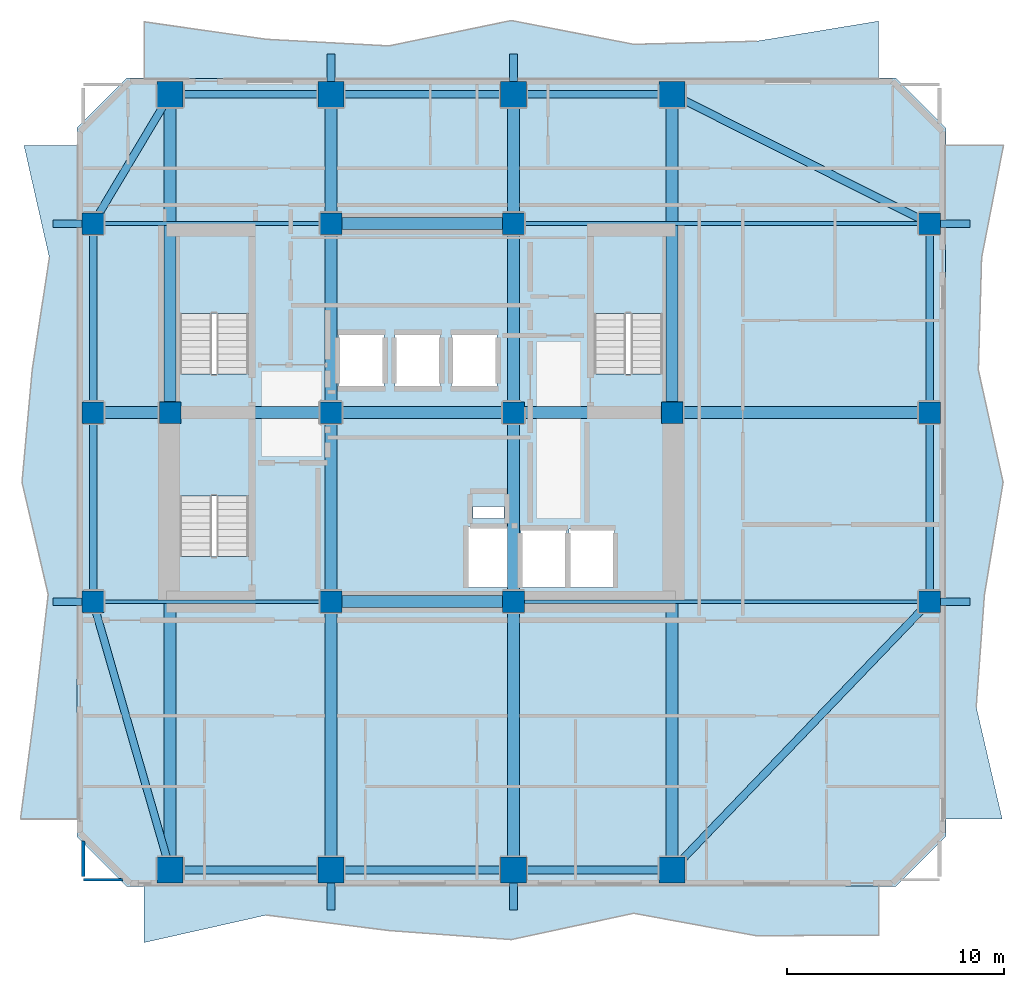
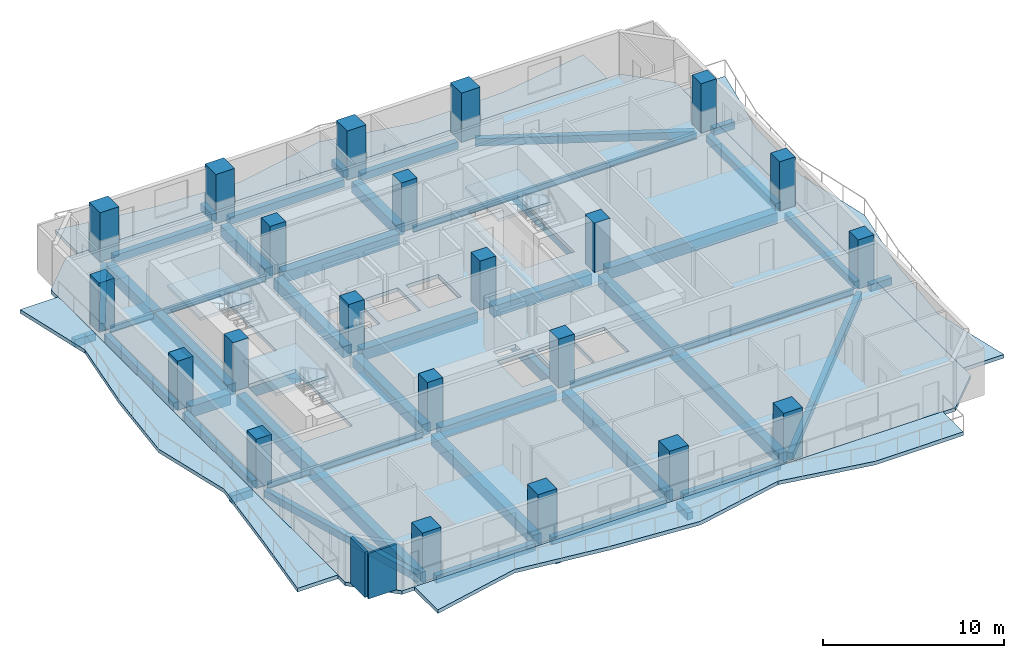
# One storey, part 1 of 9: 45 beams, 22 columns, 8 slabs, 2 walls, 3 elements without a shape of their own.
"""IFC4 building model written with IfcOpenShell, lengths in metres."""

from ifc_helpers import new_model, si_unit, direction, frame, frame_2d, origin, origin_2d, place, context, subcontext, project, spatial, polyline, rectangle, i_section, outline, extrude, material, layer, layer_set, material_profile, profile_set, type_object, element, aggregate, save


model = new_model("IFC4")

# Units and contexts
model_context = context("Model", 3, precision=1e-05, world=origin(), true_north=direction((0.0, 1.0)))
body_context = subcontext(model_context, "Body", "Model", "MODEL_VIEW")
ifc_project = project(units=[si_unit("LENGTHUNIT", "METRE"), si_unit("AREAUNIT", "SQUARE_METRE"), si_unit("VOLUMEUNIT", "CUBIC_METRE"), si_unit("PLANEANGLEUNIT", "RADIAN"), si_unit("MASSUNIT", "GRAM", prefix="KILO")], contexts=[model_context])

# Site, building, storey
site_placement = place(None, origin())
site = spatial("IfcSite", under=ifc_project, at=site_placement, CompositionType="ELEMENT")
building_placement = place(site_placement, origin())
building = spatial("IfcBuilding", under=site, at=building_placement, Name="Solanera Arch Residences", CompositionType="ELEMENT")
storey_placement = place(building_placement, frame((0.0, 0.0, 132.639892578125)))
storey = spatial("IfcBuildingStorey", under=building, at=storey_placement, Name="L38", CompositionType="ELEMENT", Elevation=132.639892578125)

# Columns
ifc_material_1 = material(Name="Concrete C55/67 (f'c = 60 MPa)", Category="concrete")
ifc_material_profile_1 = material_profile(ifc_material_1, rectangle(XDim=1.0, YDim=1.0, at=origin_2d()))
ifc_profile_set_1 = profile_set([ifc_material_profile_1], Name="Concrete C55/67 (f'c = 60 MPa)")
column_type_1 = type_object("IfcColumnType", Name="Structural Column RC-COL-1000X1000", PredefinedType="COLUMN", material=ifc_profile_set_1)
for number, where, z_axis, x_axis, name in (
    (1, (20.800048828125, 22.0, 0.0), (0.0, 0.0, 1.0), (1.0, 0.0, 0.0), "COL-L38-CB-SW"),
    (2, (29.199951171875, 22.0, 0.0), (0.0, 0.0, 1.0), (1.0, 0.0, 0.0), "COL-L38-CB-SE"),
    (3, (20.800048828125, 39.39990234375, 0.0), (0.0, 0.0, 1.0), (1.0, 0.0, 0.0), "COL-L38-CB-NW"),
    (4, (29.199951171875, 39.39990234375, 0.0), (0.0, 0.0, 1.0), (1.0, 0.0, 0.0), "COL-L38-CB-NE"),
    (5, (13.39990234375, 30.699951171875, 0.0), (0.0, 0.0, 1.0), (1.0, 0.0, 0.0), "COL-L38-CB-WW"),
    (6, (36.5, 30.699951171875, 0.0), (0.0, 0.0, 1.0), (1.0, 0.0, 0.0), "COL-L38-CB-EE"),
    (7, (20.800048828125, 30.699951171875, 0.0), (0.0, 0.0, 1.0), (1.0, 0.0, 0.0), "COL-L38-CORE-W"),
    (8, (29.199951171875, 30.699951171875, 0.0), (0.0, 0.0, 1.0), (1.0, 0.0, 0.0), "COL-L38-CORE-E"),
    (9, (9.85009765625, 22.0, 0.0), (0.0, 0.0, 1.0), (1.0, 0.0, 0.0), "COL-L38-TWR-09"),
    (10, (48.35009765625, 22.0, 0.0), (0.0, 0.0, 1.0), (1.0, 0.0, 0.0), "COL-L38-TWR-10"),
    (11, (9.85009765625, 30.699951171875, 0.0), (0.0, 0.0, 1.0), (1.0, 0.0, 0.0), "COL-L38-TWR-11"),
    (12, (48.35009765625, 30.699951171875, 0.0), (0.0, 0.0, 1.0), (1.0, 0.0, 0.0), "COL-L38-TWR-12"),
    (13, (9.85009765625, 39.39990234375, 0.0), (0.0, 0.0, 1.0), (1.0, 0.0, 0.0), "COL-L38-TWR-13"),
    (14, (48.35009765625, 39.39990234375, 0.0), (0.0, 0.0, 1.0), (1.0, 0.0, 0.0), "COL-L38-TWR-14"),
):
    element("IfcColumn", number, at=place(storey_placement, frame(where, z_axis=z_axis, x_axis=x_axis)), inside=storey, type_object=column_type_1, Name=name, PredefinedType="COLUMN", context=body_context, shape_type="SweptSolid", body=[
        extrude(rectangle(XDim=1.0, YDim=1.0, at=origin_2d()), origin(), (0.0, 0.0, 1.0), 3.320068359375),
    ])
ifc_material_2 = material(Name="Concrete C55/67 (f'c = 60 MPa)", Category="concrete")
ifc_material_profile_2 = material_profile(ifc_material_2, rectangle(XDim=1.199951171875, YDim=1.199951171875, at=origin_2d()))
ifc_profile_set_2 = profile_set([ifc_material_profile_2], Name="Concrete C55/67 (f'c = 60 MPa)")
column_type_2 = type_object("IfcColumnType", Name="Structural Column RC-COL-1200X1200", PredefinedType="COLUMN", material=ifc_profile_set_2)
for number, where, z_axis, x_axis, name in (
    (15, (13.39990234375, 9.64990234375, 0.0), (0.0, 0.0, 1.0), (1.0, 0.0, 0.0), "COL-L38-TWR-01"),
    (16, (13.39990234375, 45.35009765625, 0.0), (0.0, 0.0, 1.0), (1.0, 0.0, 0.0), "COL-L38-TWR-02"),
    (17, (20.800048828125, 9.64990234375, 0.0), (0.0, 0.0, 1.0), (1.0, 0.0, 0.0), "COL-L38-TWR-03"),
    (18, (20.800048828125, 45.35009765625, 0.0), (0.0, 0.0, 1.0), (1.0, 0.0, 0.0), "COL-L38-TWR-04"),
    (19, (29.199951171875, 9.64990234375, 0.0), (0.0, 0.0, 1.0), (1.0, 0.0, 0.0), "COL-L38-TWR-05"),
    (20, (29.199951171875, 45.35009765625, 0.0), (0.0, 0.0, 1.0), (1.0, 0.0, 0.0), "COL-L38-TWR-06"),
    (21, (36.5, 9.64990234375, 0.0), (0.0, 0.0, 1.0), (1.0, 0.0, 0.0), "COL-L38-TWR-07"),
    (22, (36.5, 45.35009765625, 0.0), (0.0, 0.0, 1.0), (1.0, 0.0, 0.0), "COL-L38-TWR-08"),
):
    element("IfcColumn", number, at=place(storey_placement, frame(where, z_axis=z_axis, x_axis=x_axis)), inside=storey, type_object=column_type_2, Name=name, PredefinedType="COLUMN", context=body_context, shape_type="SweptSolid", body=[
        extrude(rectangle(XDim=1.199951171875, YDim=1.199951171875, at=origin_2d()), origin(), (0.0, 0.0, 1.0), 3.320068359375),
    ])

# Beams
ifc_material_3 = material(Name="Concrete C40/50 (f'c = 45 MPa)", Category="concrete")
ifc_material_profile_3 = material_profile(ifc_material_3, rectangle(XDim=0.35009765625, YDim=0.5, at=origin_2d()))
ifc_profile_set_3 = profile_set([ifc_material_profile_3], Name="Concrete C40/50 (f'c = 45 MPa)")
beam_type_1 = type_object("IfcBeamType", Name="BM-BALC-RIB", PredefinedType="BEAM", material=ifc_profile_set_3)
for number, where, z_axis, x_axis, name in (
    (23, (20.800048828125, 7.800048828125, -0.5), (0.0, 1.0, 0.0), (-1.0, 0.0, 0.0), "BM-L38-BRIB-S1"),
    (24, (29.199951171875, 7.800048828125, -0.5), (0.0, 1.0, 0.0), (-1.0, 0.0, 0.0), "BM-L38-BRIB-S2"),
    (25, (20.800048828125, 45.949951171875, -0.5), (0.0, 1.0, 0.0), (-1.0, 0.0, 0.0), "BM-L38-BRIB-N1"),
    (26, (29.199951171875, 45.949951171875, -0.5), (0.0, 1.0, 0.0), (-1.0, 0.0, 0.0), "BM-L38-BRIB-N2"),
):
    element("IfcBeam", number, at=place(storey_placement, frame(where, z_axis=z_axis, x_axis=x_axis)), inside=storey, type_object=beam_type_1, Name=name, PredefinedType="BEAM", context=body_context, shape_type="SweptSolid", body=[
        extrude(rectangle(XDim=0.35009765625, YDim=0.5, at=origin_2d()), origin(), (0.0, 0.0, 1.0), 1.25),
    ])
for number, where, z_axis, x_axis, name in (
    (27, (48.85009765625, 22.0, -0.5), (1.0, 0.0, 0.0), (0.0, 1.0, 0.0), "BM-L38-BRIB-E1"),
    (28, (48.85009765625, 39.39990234375, -0.5), (1.0, 0.0, 0.0), (0.0, 1.0, 0.0), "BM-L38-BRIB-E2"),
):
    element("IfcBeam", number, at=place(storey_placement, frame(where, z_axis=z_axis, x_axis=x_axis)), inside=storey, type_object=beam_type_1, Name=name, PredefinedType="BEAM", context=body_context, shape_type="SweptSolid", body=[
        extrude(rectangle(XDim=0.35009765625, YDim=0.5, at=origin_2d()), origin(), (0.0, 0.0, 1.0), 1.349853515625),
    ])
for number, where, z_axis, x_axis, name in (
    (29, (8.0, 22.0, -0.5), (1.0, 0.0, 0.0), (0.0, 1.0, 0.0), "BM-L38-BRIB-W1"),
    (30, (8.0, 39.39990234375, -0.5), (1.0, 0.0, 0.0), (0.0, 1.0, 0.0), "BM-L38-BRIB-W2"),
):
    element("IfcBeam", number, at=place(storey_placement, frame(where, z_axis=z_axis, x_axis=x_axis)), inside=storey, type_object=beam_type_1, Name=name, PredefinedType="BEAM", context=body_context, shape_type="SweptSolid", body=[
        extrude(rectangle(XDim=0.35009765625, YDim=0.5, at=origin_2d()), origin(), (0.0, 0.0, 1.0), 1.35009765625),
    ])
ifc_material_4 = material(Name="Concrete C40/50 (f'c = 45 MPa)", Category="concrete")
ifc_material_profile_4 = material_profile(ifc_material_4, rectangle(XDim=0.550048828125, YDim=0.75, at=origin_2d()))
ifc_profile_set_4 = profile_set([ifc_material_profile_4], Name="Concrete C40/50 (f'c = 45 MPa)")
beam_type_2 = type_object("IfcBeamType", Name="Primary Beam RC-BM-550X750", PredefinedType="BEAM", material=ifc_profile_set_4)
beam_1_placement = place(storey_placement, frame((20.800048828125, 22.50390625, -0.614990234375), z_axis=(0.0, 1.0, 0.0), x_axis=(-1.0, 0.0, 0.0)))
element("IfcBeam", 31, at=beam_1_placement, inside=storey, type_object=beam_type_2, Name="BM-L38-CC-S-208", PredefinedType="BEAM", context=body_context, shape_type="SweptSolid", body=[
    extrude(rectangle(XDim=0.550048828125, YDim=0.75, at=origin_2d()), origin(), (0.0, 0.0, 1.0), 7.692138671875),
])
beam_2_placement = place(storey_placement, frame((20.800048828125, 31.2041015625, -0.614990234375), z_axis=(0.0, 1.0, 0.0), x_axis=(-1.0, 0.0, 0.0)))
element("IfcBeam", 32, at=beam_2_placement, inside=storey, type_object=beam_type_2, Name="BM-L38-CC-N-208", PredefinedType="BEAM", context=body_context, shape_type="SweptSolid", body=[
    extrude(rectangle(XDim=0.550048828125, YDim=0.75, at=origin_2d()), origin(), (0.0, 0.0, 1.0), 7.69189453125),
])
beam_3_placement = place(storey_placement, frame((29.199951171875, 22.50390625, -0.614990234375), z_axis=(0.0, 1.0, 0.0), x_axis=(-1.0, 0.0, 0.0)))
element("IfcBeam", 33, at=beam_3_placement, inside=storey, type_object=beam_type_2, Name="BM-L38-CC-S-292", PredefinedType="BEAM", context=body_context, shape_type="SweptSolid", body=[
    extrude(rectangle(XDim=0.550048828125, YDim=0.75, at=origin_2d()), origin(), (0.0, 0.0, 1.0), 7.692138671875),
])
beam_4_placement = place(storey_placement, frame((29.199951171875, 31.2041015625, -0.614990234375), z_axis=(0.0, 1.0, 0.0), x_axis=(-1.0, 0.0, 0.0)))
element("IfcBeam", 34, at=beam_4_placement, inside=storey, type_object=beam_type_2, Name="BM-L38-CC-N-292", PredefinedType="BEAM", context=body_context, shape_type="SweptSolid", body=[
    extrude(rectangle(XDim=0.550048828125, YDim=0.75, at=origin_2d()), origin(), (0.0, 0.0, 1.0), 7.69189453125),
])
for number, where, z_axis, x_axis, name in (
    (35, (21.303955078125, 22.0, -0.614990234375), (1.0, 0.0, 0.0), (0.0, 1.0, 0.0), "BM-L38-CC-M-220"),
    (36, (21.303955078125, 30.699951171875, -0.614990234375), (1.0, 0.0, 0.0), (0.0, 1.0, 0.0), "BM-L38-CC-M-307"),
    (37, (21.303955078125, 39.39990234375, -0.614990234375), (1.0, 0.0, 0.0), (0.0, 1.0, 0.0), "BM-L38-CC-M-394"),
):
    element("IfcBeam", number, at=place(storey_placement, frame(where, z_axis=z_axis, x_axis=x_axis)), inside=storey, type_object=beam_type_2, Name=name, PredefinedType="BEAM", context=body_context, shape_type="SweptSolid", body=[
        extrude(rectangle(XDim=0.550048828125, YDim=0.75, at=origin_2d()), origin(), (0.0, 0.0, 1.0), 7.39208984375),
    ])
beam_5_placement = place(storey_placement, frame((13.904052734375, 30.699951171875, -0.614990234375), z_axis=(1.0, 0.0, 0.0), x_axis=(0.0, 1.0, 0.0)))
element("IfcBeam", 38, at=beam_5_placement, inside=storey, type_object=beam_type_2, Name="BM-L38-CC-W", PredefinedType="BEAM", context=body_context, shape_type="SweptSolid", body=[
    extrude(rectangle(XDim=0.550048828125, YDim=0.75, at=origin_2d()), origin(), (0.0, 0.0, 1.0), 6.391845703125),
])
beam_6_placement = place(storey_placement, frame((29.7041015625, 30.699951171875, -0.614990234375), z_axis=(1.0, 0.0, 0.0), x_axis=(0.0, 1.0, 0.0)))
element("IfcBeam", 39, at=beam_6_placement, inside=storey, type_object=beam_type_2, Name="BM-L38-CC-E", PredefinedType="BEAM", context=body_context, shape_type="SweptSolid", body=[
    extrude(rectangle(XDim=0.550048828125, YDim=0.75, at=origin_2d()), origin(), (0.0, 0.0, 1.0), 6.2919921875),
])
beam_7_placement = place(storey_placement, frame((20.800048828125, 10.18994140625, -0.614990234375), z_axis=(0.0, 1.0, 0.0), x_axis=(-1.0, 0.0, 0.0)))
element("IfcBeam", 40, at=beam_7_placement, inside=storey, type_object=beam_type_2, Name="BM-L38-RAD-S-208", PredefinedType="BEAM", context=body_context, shape_type="SweptSolid", body=[
    extrude(rectangle(XDim=0.550048828125, YDim=0.75, at=origin_2d()), origin(), (0.0, 0.0, 1.0), 11.30615234375),
])
beam_8_placement = place(storey_placement, frame((20.800048828125, 39.904052734375, -0.614990234375), z_axis=(0.0, 1.0, 0.0), x_axis=(-1.0, 0.0, 0.0)))
element("IfcBeam", 41, at=beam_8_placement, inside=storey, type_object=beam_type_2, Name="BM-L38-RAD-N-208", PredefinedType="BEAM", context=body_context, shape_type="SweptSolid", body=[
    extrude(rectangle(XDim=0.550048828125, YDim=0.75, at=origin_2d()), origin(), (0.0, 0.0, 1.0), 4.906005859375),
])
beam_9_placement = place(storey_placement, frame((29.199951171875, 10.18994140625, -0.614990234375), z_axis=(0.0, 1.0, 0.0), x_axis=(-1.0, 0.0, 0.0)))
element("IfcBeam", 42, at=beam_9_placement, inside=storey, type_object=beam_type_2, Name="BM-L38-RAD-S-292", PredefinedType="BEAM", context=body_context, shape_type="SweptSolid", body=[
    extrude(rectangle(XDim=0.550048828125, YDim=0.75, at=origin_2d()), origin(), (0.0, 0.0, 1.0), 11.30615234375),
])
beam_10_placement = place(storey_placement, frame((29.199951171875, 39.904052734375, -0.614990234375), z_axis=(0.0, 1.0, 0.0), x_axis=(-1.0, 0.0, 0.0)))
element("IfcBeam", 43, at=beam_10_placement, inside=storey, type_object=beam_type_2, Name="BM-L38-RAD-N-292", PredefinedType="BEAM", context=body_context, shape_type="SweptSolid", body=[
    extrude(rectangle(XDim=0.550048828125, YDim=0.75, at=origin_2d()), origin(), (0.0, 0.0, 1.0), 4.906005859375),
])
beam_11_placement = place(storey_placement, frame((13.39990234375, 10.18994140625, -0.614990234375), z_axis=(0.0, 1.0, 0.0), x_axis=(-1.0, 0.0, 0.0)))
element("IfcBeam", 44, at=beam_11_placement, inside=storey, type_object=beam_type_2, Name="BM-L38-RAD-OS-134", PredefinedType="BEAM", context=body_context, shape_type="SweptSolid", body=[
    extrude(rectangle(XDim=0.550048828125, YDim=0.75, at=origin_2d()), origin(), (0.0, 0.0, 1.0), 20.006103515625),
])
beam_12_placement = place(storey_placement, frame((13.39990234375, 31.2041015625, -0.614990234375), z_axis=(0.0, 1.0, 0.0), x_axis=(-1.0, 0.0, 0.0)))
element("IfcBeam", 45, at=beam_12_placement, inside=storey, type_object=beam_type_2, Name="BM-L38-RAD-ON-134", PredefinedType="BEAM", context=body_context, shape_type="SweptSolid", body=[
    extrude(rectangle(XDim=0.550048828125, YDim=0.75, at=origin_2d()), origin(), (0.0, 0.0, 1.0), 13.60595703125),
])
beam_13_placement = place(storey_placement, frame((36.5, 10.18994140625, -0.614990234375), z_axis=(0.0, 1.0, 0.0), x_axis=(-1.0, 0.0, 0.0)))
element("IfcBeam", 46, at=beam_13_placement, inside=storey, type_object=beam_type_2, Name="BM-L38-RAD-OS-365", PredefinedType="BEAM", context=body_context, shape_type="SweptSolid", body=[
    extrude(rectangle(XDim=0.550048828125, YDim=0.75, at=origin_2d()), origin(), (0.0, 0.0, 1.0), 20.006103515625),
])
beam_14_placement = place(storey_placement, frame((36.5, 31.2041015625, -0.614990234375), z_axis=(0.0, 1.0, 0.0), x_axis=(-1.0, 0.0, 0.0)))
element("IfcBeam", 47, at=beam_14_placement, inside=storey, type_object=beam_type_2, Name="BM-L38-RAD-ON-365", PredefinedType="BEAM", context=body_context, shape_type="SweptSolid", body=[
    extrude(rectangle(XDim=0.550048828125, YDim=0.75, at=origin_2d()), origin(), (0.0, 0.0, 1.0), 13.60595703125),
])
beam_15_placement = place(storey_placement, frame((10.35400390625, 30.699951171875, -0.614990234375), z_axis=(1.0, 0.0, 0.0), x_axis=(0.0, 1.0, 0.0)))
element("IfcBeam", 48, at=beam_15_placement, inside=storey, type_object=beam_type_2, Name="BM-L38-RAD-MW", PredefinedType="BEAM", context=body_context, shape_type="SweptSolid", body=[
    extrude(rectangle(XDim=0.550048828125, YDim=0.75, at=origin_2d()), origin(), (0.0, 0.0, 1.0), 2.5419921875),
])
beam_16_placement = place(storey_placement, frame((37.00390625, 30.699951171875, -0.614990234375), z_axis=(1.0, 0.0, 0.0), x_axis=(0.0, 1.0, 0.0)))
element("IfcBeam", 49, at=beam_16_placement, inside=storey, type_object=beam_type_2, Name="BM-L38-RAD-ME", PredefinedType="BEAM", context=body_context, shape_type="SweptSolid", body=[
    extrude(rectangle(XDim=0.550048828125, YDim=0.75, at=origin_2d()), origin(), (0.0, 0.0, 1.0), 10.842041015625),
])
ifc_material_5 = material(Name="Steel S355 (ASTM A992 / A572 Grade 50)", Category="steel")
ifc_material_profile_5 = material_profile(ifc_material_5, i_section(OverallWidth=0.178955078125, OverallDepth=0.409912109375, WebThickness=0.0087890625, FlangeThickness=0.014404296875, at=origin_2d()))
ifc_profile_set_5 = profile_set([ifc_material_profile_5], Name="Steel S355 (ASTM A992 / A572 Grade 50)")
beam_type_3 = type_object("IfcBeamType", Name="Secondary Joist W410X67", PredefinedType="JOIST", material=ifc_profile_set_5)
beam_17_placement = place(storey_placement, frame((10.35400390625, 22.0, -0.44482421875), z_axis=(1.0, 0.0, 0.0), x_axis=(0.0, 1.0, 0.0)))
element("IfcBeam", 50, at=beam_17_placement, inside=storey, type_object=beam_type_3, Name="BM-L38-RAD-W-220", PredefinedType="JOIST", context=body_context, shape_type="SweptSolid", body=[
    extrude(i_section(OverallWidth=0.178955078125, OverallDepth=0.409912109375, WebThickness=0.0087890625, FlangeThickness=0.014404296875, at=origin_2d()), origin(), (0.0, 0.0, 1.0), 9.94189453125),
])
beam_18_placement = place(storey_placement, frame((29.7041015625, 22.0, -0.44482421875), z_axis=(1.0, 0.0, 0.0), x_axis=(0.0, 1.0, 0.0)))
element("IfcBeam", 51, at=beam_18_placement, inside=storey, type_object=beam_type_3, Name="BM-L38-RAD-E-220", PredefinedType="JOIST", context=body_context, shape_type="SweptSolid", body=[
    extrude(i_section(OverallWidth=0.178955078125, OverallDepth=0.409912109375, WebThickness=0.0087890625, FlangeThickness=0.014404296875, at=origin_2d()), origin(), (0.0, 0.0, 1.0), 18.141845703125),
])
beam_19_placement = place(storey_placement, frame((10.35400390625, 39.39990234375, -0.44482421875), z_axis=(1.0, 0.0, 0.0), x_axis=(0.0, 1.0, 0.0)))
element("IfcBeam", 52, at=beam_19_placement, inside=storey, type_object=beam_type_3, Name="BM-L38-RAD-W-394", PredefinedType="JOIST", context=body_context, shape_type="SweptSolid", body=[
    extrude(i_section(OverallWidth=0.178955078125, OverallDepth=0.409912109375, WebThickness=0.0087890625, FlangeThickness=0.014404296875, at=origin_2d()), origin(), (0.0, 0.0, 1.0), 9.94189453125),
])
beam_20_placement = place(storey_placement, frame((29.7041015625, 39.39990234375, -0.44482421875), z_axis=(1.0, 0.0, 0.0), x_axis=(0.0, 1.0, 0.0)))
element("IfcBeam", 53, at=beam_20_placement, inside=storey, type_object=beam_type_3, Name="BM-L38-RAD-E-394", PredefinedType="JOIST", context=body_context, shape_type="SweptSolid", body=[
    extrude(i_section(OverallWidth=0.178955078125, OverallDepth=0.409912109375, WebThickness=0.0087890625, FlangeThickness=0.014404296875, at=origin_2d()), origin(), (0.0, 0.0, 1.0), 18.141845703125),
])
ifc_material_6 = material(Name="Concrete C40/50 (f'c = 45 MPa)", Category="concrete")
ifc_material_profile_6 = material_profile(ifc_material_6, rectangle(XDim=0.35009765625, YDim=0.5, at=origin_2d()))
ifc_profile_set_6 = profile_set([ifc_material_profile_6], Name="Concrete C40/50 (f'c = 45 MPa)")
beam_type_4 = type_object("IfcBeamType", Name="Spandrel Beam RC-BM-350X500", PredefinedType="SPANDREL", material=ifc_profile_set_6)
for number, where, z_axis, x_axis, name in (
    (54, (13.93994140625, 9.64990234375, -0.489990234375), (1.0, 0.0, 0.0), (0.0, 1.0, 0.0), "BM-L38-SPN-S-1"),
    (55, (13.93994140625, 45.35009765625, -0.489990234375), (1.0, 0.0, 0.0), (0.0, 1.0, 0.0), "BM-L38-SPN-N-1"),
):
    element("IfcBeam", number, at=place(storey_placement, frame(where, z_axis=z_axis, x_axis=x_axis)), inside=storey, type_object=beam_type_4, Name=name, PredefinedType="SPANDREL", context=body_context, shape_type="SweptSolid", body=[
        extrude(rectangle(XDim=0.35009765625, YDim=0.5, at=origin_2d()), origin(), (0.0, 0.0, 1.0), 6.320068359375),
    ])
for number, where, z_axis, x_axis, name in (
    (56, (21.340087890625, 9.64990234375, -0.489990234375), (1.0, 0.0, 0.0), (0.0, 1.0, 0.0), "BM-L38-SPN-S-2"),
    (57, (21.340087890625, 45.35009765625, -0.489990234375), (1.0, 0.0, 0.0), (0.0, 1.0, 0.0), "BM-L38-SPN-N-2"),
):
    element("IfcBeam", number, at=place(storey_placement, frame(where, z_axis=z_axis, x_axis=x_axis)), inside=storey, type_object=beam_type_4, Name=name, PredefinedType="SPANDREL", context=body_context, shape_type="SweptSolid", body=[
        extrude(rectangle(XDim=0.35009765625, YDim=0.5, at=origin_2d()), origin(), (0.0, 0.0, 1.0), 7.31982421875),
    ])
for number, where, z_axis, x_axis, name in (
    (58, (29.739990234375, 9.64990234375, -0.489990234375), (1.0, 0.0, 0.0), (0.0, 1.0, 0.0), "BM-L38-SPN-S-3"),
    (59, (29.739990234375, 45.35009765625, -0.489990234375), (1.0, 0.0, 0.0), (0.0, 1.0, 0.0), "BM-L38-SPN-N-3"),
):
    element("IfcBeam", number, at=place(storey_placement, frame(where, z_axis=z_axis, x_axis=x_axis)), inside=storey, type_object=beam_type_4, Name=name, PredefinedType="SPANDREL", context=body_context, shape_type="SweptSolid", body=[
        extrude(rectangle(XDim=0.35009765625, YDim=0.5, at=origin_2d()), origin(), (0.0, 0.0, 1.0), 6.219970703125),
    ])
for number, where, z_axis, x_axis, name in (
    (60, (9.85009765625, 22.50390625, -0.489990234375), (0.0, 1.0, 0.0), (-1.0, 0.0, 0.0), "BM-L38-SPN-W-1"),
    (61, (48.35009765625, 22.50390625, -0.489990234375), (0.0, 1.0, 0.0), (-1.0, 0.0, 0.0), "BM-L38-SPN-E-1"),
):
    element("IfcBeam", number, at=place(storey_placement, frame(where, z_axis=z_axis, x_axis=x_axis)), inside=storey, type_object=beam_type_4, Name=name, PredefinedType="SPANDREL", context=body_context, shape_type="SweptSolid", body=[
        extrude(rectangle(XDim=0.35009765625, YDim=0.5, at=origin_2d()), origin(), (0.0, 0.0, 1.0), 7.692138671875),
    ])
for number, where, z_axis, x_axis, name in (
    (62, (9.85009765625, 31.2041015625, -0.489990234375), (0.0, 1.0, 0.0), (-1.0, 0.0, 0.0), "BM-L38-SPN-W-2"),
    (63, (48.35009765625, 31.2041015625, -0.489990234375), (0.0, 1.0, 0.0), (-1.0, 0.0, 0.0), "BM-L38-SPN-E-2"),
):
    element("IfcBeam", number, at=place(storey_placement, frame(where, z_axis=z_axis, x_axis=x_axis)), inside=storey, type_object=beam_type_4, Name=name, PredefinedType="SPANDREL", context=body_context, shape_type="SweptSolid", body=[
        extrude(rectangle(XDim=0.35009765625, YDim=0.5, at=origin_2d()), origin(), (0.0, 0.0, 1.0), 7.69189453125),
    ])
beam_21_placement = place(storey_placement, frame((13.2509765625, 10.1689453125, -0.489990234375), z_axis=(-0.276252894432, 0.961084979759, 0.0), x_axis=(-0.961084979759, -0.276252894432, 0.0)))
element("IfcBeam", 64, at=beam_21_placement, inside=storey, type_object=beam_type_4, Name="BM-L38-SPN-SW", PredefinedType="SPANDREL", context=body_context, shape_type="SweptSolid", body=[
    extrude(rectangle(XDim=0.35009765625, YDim=0.5, at=origin_2d()), origin(), (0.0, 0.0, 1.0), 11.785888671875),
])
beam_22_placement = place(storey_placement, frame((13.123046875, 44.885986328125, -0.489990234375), z_axis=(-0.512345287807, -0.858779544506, 0.0), x_axis=(0.858779544506, -0.512345287807, 0.0)))
element("IfcBeam", 65, at=beam_22_placement, inside=storey, type_object=beam_type_4, Name="BM-L38-SPN-NW", PredefinedType="SPANDREL", context=body_context, shape_type="SweptSolid", body=[
    extrude(rectangle(XDim=0.35009765625, YDim=0.5, at=origin_2d()), origin(), (0.0, 0.0, 1.0), 5.847900390625),
])
beam_23_placement = place(storey_placement, frame((36.8740234375, 10.0400390625, -0.489990234375), z_axis=(0.692362566924, 0.721549773697, 0.0), x_axis=(-0.721549773697, 0.692362566924, 0.0)))
element("IfcBeam", 66, at=beam_23_placement, inside=storey, type_object=beam_type_4, Name="BM-L38-SPN-SE", PredefinedType="SPANDREL", context=body_context, shape_type="SweptSolid", body=[
    extrude(rectangle(XDim=0.35009765625, YDim=0.5, at=origin_2d()), origin(), (0.0, 0.0, 1.0), 16.034912109375),
])
beam_24_placement = place(storey_placement, frame((36.98291015625, 45.10791015625, -0.489990234375), z_axis=(0.893644053725, -0.448776453529, 0.0), x_axis=(0.448776453529, 0.893644053725, 0.0)))
element("IfcBeam", 67, at=beam_24_placement, inside=storey, type_object=beam_type_4, Name="BM-L38-SPN-NE", PredefinedType="SPANDREL", context=body_context, shape_type="SweptSolid", body=[
    extrude(rectangle(XDim=0.35009765625, YDim=0.5, at=origin_2d()), origin(), (0.0, 0.0, 1.0), 12.179443359375),
])

# Slabs
ifc_material_7 = material(Name="Concrete C40/50 (f'c = 45 MPa)", Category="concrete")
ifc_layer_1 = layer(ifc_material_7, 0.25)
ifc_layer_set_1 = layer_set([ifc_layer_1], Name="Concrete C40/50 (f'c = 45 MPa)")
slab_type_1 = type_object("IfcSlabType", Name="Balcony Slab 250", PredefinedType="FLOOR", material=ifc_layer_set_1)
slab_1_placement = place(storey_placement, frame((0.0, 0.0, -0.25)))
element("IfcSlab", 68, at=slab_1_placement, inside=storey, type_object=slab_type_1, Name="L38 S Rippling Brise-Soleil Balcony Slab", PredefinedType="FLOOR", context=body_context, shape_type="SweptSolid", body=[
    extrude(outline(polyline([(12.199951171875, 6.31103515625), (17.8330078125, 7.5791015625), (23.467041015625, 6.866943359375), (29.10009765625, 6.450927734375), (34.73291015625, 7.660888671875), (40.366943359375, 6.62890625), (46.0, 6.654052734375), (46.0, 8.919921875), (12.199951171875, 8.919921875), (12.199951171875, 6.31103515625)])), origin(), (0.0, 0.0, 1.0), 0.25),
])
slab_2_placement = place(storey_placement, frame((0.0, 0.0, -0.25)))
element("IfcSlab", 69, at=slab_2_placement, inside=storey, type_object=slab_type_1, Name="L38 N Rippling Brise-Soleil Balcony Slab", PredefinedType="FLOOR", context=body_context, shape_type="SweptSolid", body=[
    extrude(outline(polyline([(46.0, 48.720947265625), (40.366943359375, 47.7939453125), (34.73291015625, 47.653076171875), (29.10009765625, 48.748046875), (23.467041015625, 47.5791015625), (17.8330078125, 47.883056640625), (12.199951171875, 48.68896484375), (12.199951171875, 46.080078125), (46.0, 46.080078125), (46.0, 48.720947265625)])), origin(), (0.0, 0.0, 1.0), 0.25),
])
slab_3_placement = place(storey_placement, frame((0.0, 0.0, -0.25)))
element("IfcSlab", 70, at=slab_3_placement, inside=storey, type_object=slab_type_1, Name="L38 E Rippling Brise-Soleil Balcony Slab", PredefinedType="FLOOR", context=body_context, shape_type="SweptSolid", body=[
    extrude(outline(polyline([(51.68896484375, 12.0), (50.493896484375, 17.1669921875), (50.8740234375, 22.3330078125), (51.73193359375, 27.5), (50.593017578125, 32.6669921875), (50.742919921875, 37.8330078125), (51.75, 43.0), (49.080078125, 43.0), (49.080078125, 12.0), (51.68896484375, 12.0)])), origin(), (0.0, 0.0, 1.0), 0.25),
])
slab_4_placement = place(storey_placement, frame((0.0, 0.0, -0.25)))
element("IfcSlab", 71, at=slab_4_placement, inside=storey, type_object=slab_type_1, Name="L38 W Rippling Brise-Soleil Balcony Slab", PredefinedType="FLOOR", context=body_context, shape_type="SweptSolid", body=[
    extrude(outline(polyline([(6.6708984375, 43.0), (7.837890625, 37.8330078125), (7.049072265625, 32.6669921875), (6.580078125, 27.5), (7.783935546875, 22.3330078125), (7.18798828125, 17.1669921875), (6.510986328125, 12.0), (9.1201171875, 12.0), (9.1201171875, 43.0), (6.6708984375, 43.0)])), origin(), (0.0, 0.0, 1.0), 0.25),
])

# Stair, slab
ifc_material_8 = material(Name="Concrete C40/50 (f'c = 45 MPa)", Category="concrete")
stair_type = type_object("IfcStairType", Name="Tower Dogleg Exit Stair 1480", PredefinedType="HALF_TURN_STAIR", material=ifc_material_8)
stair_1_placement = place(storey_placement, origin())
stair_1 = element("IfcStair", 72, at=stair_1_placement, inside=storey, type_object=stair_type, Name="L38 Tower Core Exit Stair 1", PredefinedType="HALF_TURN_STAIR")
ifc_material_9 = material(Name="Concrete C40/50 (f'c = 45 MPa)", Category="concrete")
ifc_layer_2 = layer(ifc_material_9, 0.199951171875)
ifc_layer_set_2 = layer_set([ifc_layer_2], Name="Concrete C40/50 (f'c = 45 MPa)")
slab_type_2 = type_object("IfcSlabType", Name="Stair Half-Landing Slab 200", PredefinedType="LANDING", material=ifc_layer_set_2)
slab_5_placement = place(storey_placement, frame((0.0, 0.0, 1.460205078125)))
slab_5 = element("IfcSlab", 73, at=slab_5_placement, type_object=slab_type_2, Name="ST-T1 landing 1", PredefinedType="LANDING", context=body_context, shape_type="SweptSolid", body=[
    extrude(outline(polyline([(17.1201171875, 35.260009765625), (17.1201171875, 38.919921875), (13.719970703125, 38.919921875), (13.719970703125, 35.260009765625), (17.1201171875, 35.260009765625)])), origin(), (0.0, 0.0, 1.0), 0.199951171875),
])
aggregate(stair_1, [slab_5])

stair_2_placement = place(storey_placement, origin())
stair_2 = element("IfcStair", 74, at=stair_2_placement, inside=storey, type_object=stair_type, Name="L38 Tower Core Exit Stair 2", PredefinedType="HALF_TURN_STAIR")
slab_6_placement = place(storey_placement, frame((0.0, 0.0, 1.460205078125)))
slab_6 = element("IfcSlab", 75, at=slab_6_placement, type_object=slab_type_2, Name="ST-T2 landing 1", PredefinedType="LANDING", context=body_context, shape_type="SweptSolid", body=[
    extrude(outline(polyline([(36.179931640625, 35.260009765625), (36.179931640625, 38.919921875), (32.780029296875, 38.919921875), (32.780029296875, 35.260009765625), (36.179931640625, 35.260009765625)])), origin(), (0.0, 0.0, 1.0), 0.199951171875),
])
aggregate(stair_2, [slab_6])

stair_3_placement = place(storey_placement, origin())
stair_3 = element("IfcStair", 76, at=stair_3_placement, inside=storey, type_object=stair_type, Name="L38 Tower Core Exit Stair 3", PredefinedType="HALF_TURN_STAIR")
slab_7_placement = place(storey_placement, frame((0.0, 0.0, 1.460205078125)))
slab_7 = element("IfcSlab", 77, at=slab_7_placement, type_object=slab_type_2, Name="ST-T3 landing 1", PredefinedType="LANDING", context=body_context, shape_type="SweptSolid", body=[
    extrude(outline(polyline([(17.1201171875, 26.860107421875), (17.1201171875, 30.52001953125), (13.719970703125, 30.52001953125), (13.719970703125, 26.860107421875), (17.1201171875, 26.860107421875)])), origin(), (0.0, 0.0, 1.0), 0.199951171875),
])
aggregate(stair_3, [slab_7])

# Slab
ifc_material_10 = material(Name="Concrete C40/50 (f'c = 45 MPa)", Category="concrete")
ifc_layer_3 = layer(ifc_material_10, 0.239990234375)
ifc_layer_set_3 = layer_set([ifc_layer_3], Name="Concrete C40/50 (f'c = 45 MPa)")
slab_type_3 = type_object("IfcSlabType", Name="Suspended Floor Slab Post-Tensioned 240", PredefinedType="FLOOR", material=ifc_layer_set_3)
slab_8_placement = place(storey_placement, frame((0.0, 0.0, -0.239990234375)))
element("IfcSlab", 78, at=slab_8_placement, inside=storey, type_object=slab_type_3, Name="L38 Tower Post-Tensioned Floor Slab", PredefinedType="FLOOR", context=body_context, shape_type="SweptSolid", body=[
    extrude(outline(polyline([(11.39990234375, 8.89990234375), (46.800048828125, 8.89990234375), (49.10009765625, 11.199951171875), (49.10009765625, 43.800048828125), (46.800048828125, 46.10009765625), (11.39990234375, 46.10009765625), (9.10009765625, 43.800048828125), (9.10009765625, 11.199951171875), (11.39990234375, 8.89990234375)]), holes=[polyline([(13.840087890625, 32.48291015625), (13.840087890625, 38.800048828125), (17.0, 38.800048828125), (17.0, 32.48291015625), (13.840087890625, 32.48291015625)]), polyline([(32.89990234375, 32.48291015625), (32.89990234375, 38.800048828125), (36.06005859375, 38.800048828125), (36.06005859375, 32.48291015625), (32.89990234375, 32.48291015625)]), polyline([(13.840087890625, 24.0830078125), (13.840087890625, 30.39990234375), (17.0, 30.39990234375), (17.0, 24.0830078125), (13.840087890625, 24.0830078125)]), polyline([(21.14990234375, 34.35009765625), (23.25, 34.35009765625), (23.25, 31.85009765625), (21.14990234375, 31.85009765625), (21.14990234375, 34.35009765625)]), polyline([(23.75, 34.35009765625), (25.85009765625, 34.35009765625), (25.85009765625, 31.85009765625), (23.75, 31.85009765625), (23.75, 34.35009765625)]), polyline([(26.35009765625, 34.35009765625), (28.449951171875, 34.35009765625), (28.449951171875, 31.85009765625), (26.35009765625, 31.85009765625), (26.35009765625, 34.35009765625)]), polyline([(29.550048828125, 25.35009765625), (31.64990234375, 25.35009765625), (31.64990234375, 22.64990234375), (29.550048828125, 22.64990234375), (29.550048828125, 25.35009765625)]), polyline([(31.75, 25.35009765625), (33.85009765625, 25.35009765625), (33.85009765625, 22.64990234375), (31.75, 22.64990234375), (31.75, 25.35009765625)]), polyline([(27.050048828125, 25.449951171875), (29.35009765625, 25.449951171875), (29.35009765625, 22.64990234375), (27.050048828125, 22.64990234375), (27.050048828125, 25.449951171875)]), polyline([(27.340087890625, 26.3798828125), (28.760009765625, 26.3798828125), (28.760009765625, 25.820068359375), (27.340087890625, 25.820068359375), (27.340087890625, 26.3798828125)])]), origin(), (0.0, 0.0, 1.0), 0.239990234375),
])

# Walls
ifc_material_11 = material(Name="Autoclaved Aerated Concrete Blockwork", Category="masonry")
ifc_layer_4 = layer(ifc_material_11, 0.179931640625)
ifc_layer_set_4 = layer_set([ifc_layer_4], Name="Autoclaved Aerated Concrete Blockwork")
wall_type_1 = type_object("IfcWallType", Name="Corridor Fire Partition 180", PredefinedType="PARTITIONING", material=ifc_layer_set_4)
wall_1_placement = place(storey_placement, frame((9.39990234375, 9.35791015625, 0.0), z_axis=(0.0, 0.0, 1.0), x_axis=(0.0, 1.0, 0.0)))
element("IfcWall", 79, at=wall_1_placement, inside=storey, type_object=wall_type_1, Name="L38 Interior Partition V7 1", PredefinedType="PARTITIONING", context=body_context, shape_type="SweptSolid", body=[
    extrude(rectangle(XDim=1.63720703125, YDim=0.179931640625, at=frame_2d((0.818603515625, 0.0))), origin(), (0.0, 0.0, 1.0), 3.080078125),
])
ifc_material_12 = material(Name="Fire-Rated Gypsum Stud Partition", Category="gypsum")
ifc_layer_5 = layer(ifc_material_12, 0.1201171875)
ifc_layer_set_5 = layer_set([ifc_layer_5], Name="Fire-Rated Gypsum Stud Partition")
wall_type_2 = type_object("IfcWallType", Name="Unit Drywall Partition 120", PredefinedType="PARTITIONING", material=ifc_layer_set_5)
wall_2_placement = place(storey_placement, frame((9.39990234375, 9.199951171875, 0.0), z_axis=(0.0, 0.0, 1.0), x_axis=(1.0, 0.0, 0.0)))
element("IfcWall", 80, at=wall_2_placement, inside=storey, type_object=wall_type_2, Name="L38 Interior Partition H19 1", PredefinedType="PARTITIONING", context=body_context, shape_type="SweptSolid", body=[
    extrude(rectangle(XDim=1.795166015625, YDim=0.1201171875, at=frame_2d((0.8974609375, 0.0))), origin(), (0.0, 0.0, 1.0), 3.080078125),
])

save(model, "model.ifc")
